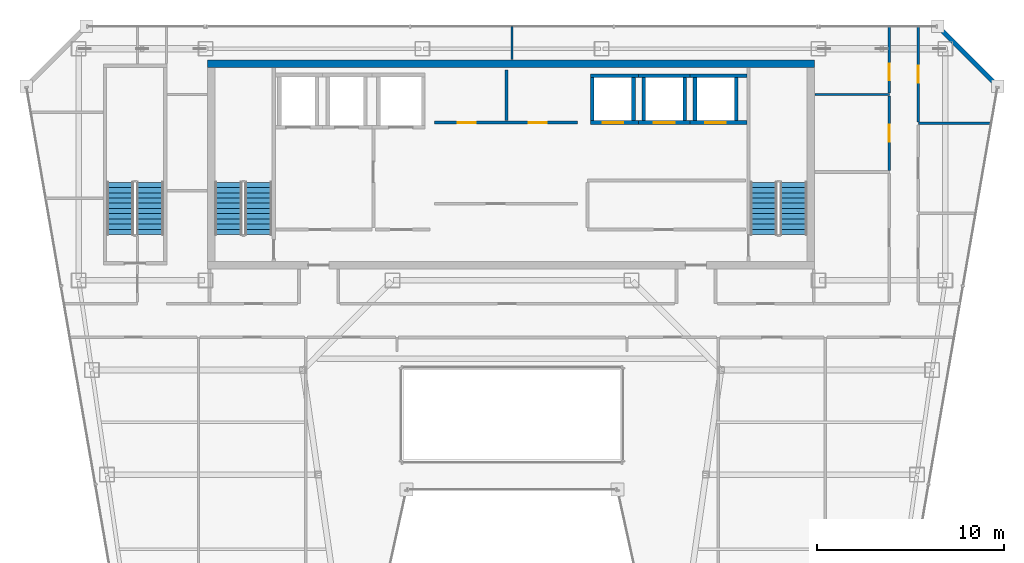
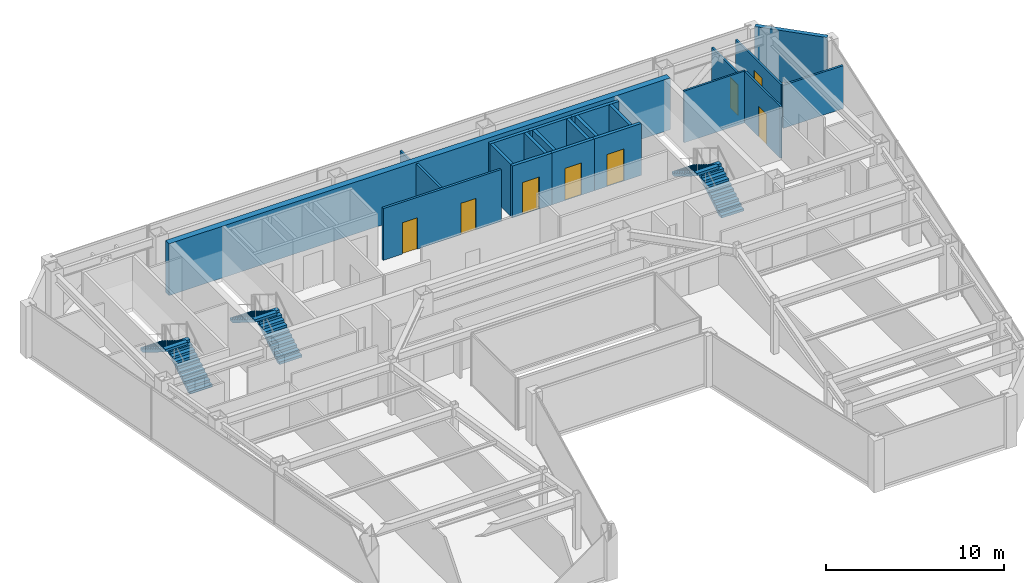
# One storey, part 28 of 32: 22 walls, 8 doors, 6 stair flights, 8 openings, 3 elements without a shape of their own.
"""IFC4 building model written with IfcOpenShell, lengths in metres."""

from ifc_helpers import new_model, si_unit, direction, frame, frame_2d, origin, place, context, subcontext, project, spatial, polyline, rectangle, outline, extrude, material, layer, layer_set, type_object, element, fill, aggregate, save


model = new_model("IFC4")

# Units and contexts
model_context = context("Model", 3, precision=1e-05, world=origin(), true_north=direction((0.0, 1.0)))
body_context = subcontext(model_context, "Body", "Model", "MODEL_VIEW")
ifc_project = project(units=[si_unit("LENGTHUNIT", "METRE"), si_unit("AREAUNIT", "SQUARE_METRE"), si_unit("VOLUMEUNIT", "CUBIC_METRE"), si_unit("PLANEANGLEUNIT", "RADIAN"), si_unit("MASSUNIT", "GRAM", prefix="KILO")], contexts=[model_context])

# Site, building, storey
site_placement = place(None, origin())
site = spatial("IfcSite", under=ifc_project, at=site_placement, CompositionType="ELEMENT")
building_placement = place(site_placement, origin())
building = spatial("IfcBuilding", under=site, at=building_placement, Name="Saevonmaru Cultural Tower", CompositionType="ELEMENT")
storey_placement = place(building_placement, frame((0.0, 0.0, 245.800048828125)))
storey = spatial("IfcBuildingStorey", under=building, at=storey_placement, Name="L57", CompositionType="ELEMENT", Elevation=245.800048828125)

# Wall
ifc_material_1 = material(Name="Concrete C50/60", Category="concrete")
ifc_layer_1 = layer(ifc_material_1, 0.39990234375, Name="Concrete C50/60")
ifc_layer_set_1 = layer_set([ifc_layer_1], Name="Concrete C50/60")
wall_type_1 = type_object("IfcWallType", Name="WL-CORE-400", PredefinedType="SHEAR", material=ifc_layer_set_1)
wall_1_placement = place(storey_placement, frame((13.699951171875, 54.0, 0.0), z_axis=(0.0, 0.0, 1.0), x_axis=(1.0, 0.0, 0.0)))
element("IfcWall", 1, at=wall_1_placement, inside=storey, type_object=wall_type_1, Name="L57 Tower RC core shear wall N", PredefinedType="SHEAR", context=body_context, shape_type="SweptSolid", body=[
    extrude(rectangle(XDim=32.5, YDim=0.39990234375, at=frame_2d((16.25, 0.0))), origin(), (0.0, 0.0, 1.0), 3.550048828125),
])

# Wall, openings, doors
ifc_material_2 = material(Name="Gypsum Fireboard Partition", Category="gypsum")
ifc_layer_2 = layer(ifc_material_2, 0.14990234375, Name="Gypsum Fireboard Partition")
ifc_layer_set_2 = layer_set([ifc_layer_2], Name="Gypsum Fireboard Partition")
wall_type_2 = type_object("IfcWallType", Name="WL-CORE-PART-150", PredefinedType="PARTITIONING", material=ifc_layer_set_2)
wall_2_placement = place(storey_placement, frame((25.85009765625, 50.85009765625, 0.0), z_axis=(0.0, 0.0, 1.0), x_axis=(1.0, 0.0, 0.0)))
wall_2 = element("IfcWall", 2, at=wall_2_placement, inside=storey, type_object=wall_type_2, Name="L57 Reclaimed Core Room South Wall", PredefinedType="PARTITIONING", context=body_context, shape_type="SweptSolid", body=[
    extrude(rectangle(XDim=7.64990234375, YDim=0.14990234375, at=frame_2d((3.824951171875, 0.0))), origin(), (0.0, 0.0, 1.0), 3.550048828125),
])
opening_1_placement = place(wall_2_placement, frame((1.25, 0.0, 0.0)))
opening_1 = element("IfcOpeningElement", 3, at=opening_1_placement, cuts=wall_2, Name="Opening FD-4", PredefinedType="OPENING", context=body_context, shape_type="SweptSolid", body=[
    extrude(rectangle(XDim=0.949951171875, YDim=2.14990234375, at=frame_2d((0.47509765625, 1.074951171875))), frame((0.0, 0.0849609375, 0.0), z_axis=(0.0, -1.0, 0.0), x_axis=(1.0, 0.0, 0.0)), (0.0, 0.0, 1.0), 0.169921875),
])
opening_2_placement = place(wall_2_placement, frame((5.050048828125, 0.0, 0.0)))
opening_2 = element("IfcOpeningElement", 4, at=opening_2_placement, cuts=wall_2, Name="Opening FD-4", PredefinedType="OPENING", context=body_context, shape_type="SweptSolid", body=[
    extrude(rectangle(XDim=0.949951171875, YDim=2.14990234375, at=frame_2d((0.47509765625, 1.074951171875))), frame((0.0, 0.0849609375, 0.0), z_axis=(0.0, -1.0, 0.0), x_axis=(1.0, 0.0, 0.0)), (0.0, 0.0, 1.0), 0.169921875),
])
ifc_material_3 = material(Name="Satin Bronze Anodised Aluminium", Category="aluminium")
door_type_1 = type_object("IfcDoorType", Name="DR-FD60-950", OperationType="SINGLE_SWING_LEFT", PredefinedType="DOOR", material=ifc_material_3)
door_1_placement = place(opening_1_placement, origin())
door_1 = element("IfcDoor", 5, at=door_1_placement, inside=storey, type_object=door_type_1, Name="L57 Reclaimed Archive Vault Door", OperationType="SINGLE_SWING_LEFT", OverallHeight=2.14990234375, OverallWidth=0.949951171875, PredefinedType="DOOR", context=body_context, shape_type="SweptSolid", body=[
    extrude(rectangle(XDim=0.949951171875, YDim=2.14990234375, at=frame_2d((0.47509765625, 1.074951171875))), frame((0.0, 0.02490234375, 0.0), z_axis=(0.0, -1.0, 0.0), x_axis=(1.0, 0.0, 0.0)), (0.0, 0.0, 1.0), 0.050048828125),
])
fill(opening_1, door_1)
door_2_placement = place(opening_2_placement, origin())
door_2 = element("IfcDoor", 6, at=door_2_placement, inside=storey, type_object=door_type_1, Name="L57 Reclaimed Conservation Storage Door", OperationType="SINGLE_SWING_LEFT", OverallHeight=2.14990234375, OverallWidth=0.949951171875, PredefinedType="DOOR", context=body_context, shape_type="SweptSolid", body=[
    extrude(rectangle(XDim=0.949951171875, YDim=2.14990234375, at=frame_2d((0.47509765625, 1.074951171875))), frame((0.0, 0.02490234375, 0.0), z_axis=(0.0, -1.0, 0.0), x_axis=(1.0, 0.0, 0.0)), (0.0, 0.0, 1.0), 0.050048828125),
])
fill(opening_2, door_2)

# Walls
wall_3_placement = place(storey_placement, frame((29.699951171875, 50.949951171875, 0.0), z_axis=(0.0, 0.0, 1.0), x_axis=(0.0, 1.0, 0.0)))
element("IfcWall", 7, at=wall_3_placement, inside=storey, type_object=wall_type_2, Name="L57 Reclaimed Vault Split", PredefinedType="PARTITIONING", context=body_context, shape_type="SweptSolid", body=[
    extrude(rectangle(XDim=2.699951171875, YDim=0.14990234375, at=frame_2d((1.35009765625, 0.0))), origin(), (0.0, 0.0, 1.0), 3.550048828125),
])
ifc_material_4 = material(Name="Granite-Clad Precast Concrete C40/50", Category="masonry")
ifc_layer_3 = layer(ifc_material_4, 0.260009765625, Name="Granite-Clad Precast Concrete C40/50")
ifc_layer_set_3 = layer_set([ifc_layer_3], Name="Granite-Clad Precast Concrete C40/50")
wall_type_3 = type_object("IfcWallType", Name="WL-EXT-SPANDREL-260", PredefinedType="STANDARD", material=ifc_layer_set_3)
wall_4_placement = place(storey_placement, frame((55.886962890625, 52.9130859375, 0.0), z_axis=(0.0, 0.0, 1.0), x_axis=(-0.707106781187, 0.707106781187, 0.0)))
element("IfcWall", 8, at=wall_4_placement, inside=storey, type_object=wall_type_3, Name="L57 Chamfer Corner Spandrel Wall E9", PredefinedType="STANDARD", context=body_context, shape_type="SweptSolid", body=[
    extrude(rectangle(XDim=4.205810546875, YDim=0.260009765625, at=frame_2d((2.10302734375, 0.0))), origin(), (0.0, 0.0, 1.0), 3.550048828125),
])
ifc_layer_4 = layer(ifc_material_2, 0.1201171875, Name="Gypsum Fireboard Partition")
ifc_layer_set_4 = layer_set([ifc_layer_4], Name="Gypsum Fireboard Partition")
wall_type_4 = type_object("IfcWallType", Name="WL-PART-GYP-120", PredefinedType="PARTITIONING", material=ifc_layer_set_4)
wall_5_placement = place(storey_placement, frame((46.219970703125, 52.35009765625, 0.0), z_axis=(0.0, 0.0, 1.0), x_axis=(1.0, 0.0, 0.0)))
element("IfcWall", 9, at=wall_5_placement, inside=storey, type_object=wall_type_4, Name="L57 North-East Panorama South Wall", PredefinedType="PARTITIONING", context=body_context, shape_type="SweptSolid", body=[
    extrude(rectangle(XDim=3.97998046875, YDim=0.1201171875, at=frame_2d((1.989990234375, 0.0))), origin(), (0.0, 0.0, 1.0), 3.550048828125),
])
wall_6_placement = place(storey_placement, frame((30.0, 54.219970703125, 0.0), z_axis=(0.0, 0.0, 1.0), x_axis=(0.0, 1.0, 0.0)))
element("IfcWall", 10, at=wall_6_placement, inside=storey, type_object=wall_type_4, Name="L57 North Panorama Center Split", PredefinedType="PARTITIONING", context=body_context, shape_type="SweptSolid", body=[
    extrude(rectangle(XDim=1.775146484375, YDim=0.1201171875, at=frame_2d((0.8876953125, 0.0))), origin(), (0.0, 0.0, 1.0), 2.93505859375),
])

# Wall, opening, door
wall_7_placement = place(storey_placement, frame((50.199951171875, 48.2900390625, 0.0), z_axis=(0.0, 0.0, 1.0), x_axis=(0.0, 1.0, 0.0)))
wall_7 = element("IfcWall", 11, at=wall_7_placement, inside=storey, type_object=wall_type_4, Name="L57 Urban Design Meeting Room Corridor Wall", PredefinedType="PARTITIONING", context=body_context, shape_type="SweptSolid", body=[
    extrude(rectangle(XDim=3.97998046875, YDim=0.1201171875, at=frame_2d((1.989990234375, 0.0))), origin(), (0.0, 0.0, 1.0), 3.550048828125),
])
opening_3_placement = place(wall_7_placement, frame((1.5400390625, 0.0, 0.0)))
opening_3 = element("IfcOpeningElement", 12, at=opening_3_placement, cuts=wall_7, Name="Opening ID-2", PredefinedType="OPENING", context=body_context, shape_type="SweptSolid", body=[
    extrude(rectangle(XDim=0.89990234375, YDim=2.10009765625, at=frame_2d((0.449951171875, 1.050048828125))), frame((0.0, 0.070068359375, 0.0), z_axis=(0.0, -1.0, 0.0), x_axis=(1.0, 0.0, 0.0)), (0.0, 0.0, 1.0), 0.14013671875),
])
ifc_material_5 = material(Name="Acoustic Stained Oak Timber", Category="wood")
door_type_2 = type_object("IfcDoorType", Name="DR-INT-900", OperationType="SINGLE_SWING_RIGHT", PredefinedType="DOOR", material=ifc_material_5)
door_3_placement = place(opening_3_placement, origin())
door_3 = element("IfcDoor", 13, at=door_3_placement, inside=storey, type_object=door_type_2, Name="L57 Urban Design Meeting Room Door", OperationType="SINGLE_SWING_LEFT", OverallHeight=2.10009765625, OverallWidth=0.89990234375, PredefinedType="DOOR", context=body_context, shape_type="SweptSolid", body=[
    extrude(rectangle(XDim=0.89990234375, YDim=2.10009765625, at=frame_2d((0.449951171875, 1.050048828125))), frame((0.0, 0.02490234375, 0.0), z_axis=(0.0, -1.0, 0.0), x_axis=(1.0, 0.0, 0.0)), (0.0, 0.0, 1.0), 0.050048828125),
])
fill(opening_3, door_3)

wall_8_placement = place(storey_placement, frame((50.199951171875, 52.429931640625, 0.0), z_axis=(0.0, 0.0, 1.0), x_axis=(0.0, 1.0, 0.0)))
wall_8 = element("IfcWall", 14, at=wall_8_placement, inside=storey, type_object=wall_type_4, Name="L57 Curatorial Board Meeting Room Corridor Wall", PredefinedType="PARTITIONING", context=body_context, shape_type="SweptSolid", body=[
    extrude(rectangle(XDim=3.565185546875, YDim=0.1201171875, at=frame_2d((1.78271484375, 0.0))), origin(), (0.0, 0.0, 1.0), 2.93505859375),
])
opening_4_placement = place(wall_8_placement, frame((0.672119140625, 0.0, 0.0)))
opening_4 = element("IfcOpeningElement", 15, at=opening_4_placement, cuts=wall_8, Name="Opening ID-2", PredefinedType="OPENING", context=body_context, shape_type="SweptSolid", body=[
    extrude(rectangle(XDim=0.89990234375, YDim=2.10009765625, at=frame_2d((0.449951171875, 1.050048828125))), frame((0.0, 0.070068359375, 0.0), z_axis=(0.0, -1.0, 0.0), x_axis=(1.0, 0.0, 0.0)), (0.0, 0.0, 1.0), 0.14013671875),
])
door_4_placement = place(opening_4_placement, origin())
door_4 = element("IfcDoor", 16, at=door_4_placement, inside=storey, type_object=door_type_2, Name="L57 Curatorial Board Meeting Room Door", OperationType="SINGLE_SWING_RIGHT", OverallHeight=2.10009765625, OverallWidth=0.89990234375, PredefinedType="DOOR", context=body_context, shape_type="SweptSolid", body=[
    extrude(rectangle(XDim=0.89990234375, YDim=2.10009765625, at=frame_2d((0.449951171875, 1.050048828125))), frame((0.0, 0.02490234375, 0.0), z_axis=(0.0, -1.0, 0.0), x_axis=(1.0, 0.0, 0.0)), (0.0, 0.0, 1.0), 0.050048828125),
])
fill(opening_4, door_4)

wall_9_placement = place(storey_placement, frame((51.75, 50.887451171875, 0.0), z_axis=(0.0, 0.0, 1.0), x_axis=(0.0, 1.0, 0.0)))
wall_9 = element("IfcWall", 17, at=wall_9_placement, inside=storey, type_object=wall_type_4, Name="L57 Translation Research Office Corridor Wall", PredefinedType="PARTITIONING", context=body_context, shape_type="SweptSolid", body=[
    extrude(rectangle(XDim=5.107666015625, YDim=0.1201171875, at=frame_2d((2.5537109375, 0.0))), origin(), (0.0, 0.0, 1.0), 2.93505859375),
])
opening_5_placement = place(wall_9_placement, frame((2.10400390625, 0.0, 0.0)))
opening_5 = element("IfcOpeningElement", 18, at=opening_5_placement, cuts=wall_9, Name="Opening ID-2", PredefinedType="OPENING", context=body_context, shape_type="SweptSolid", body=[
    extrude(rectangle(XDim=0.89990234375, YDim=2.10009765625, at=frame_2d((0.449951171875, 1.050048828125))), frame((0.0, 0.070068359375, 0.0), z_axis=(0.0, -1.0, 0.0), x_axis=(1.0, 0.0, 0.0)), (0.0, 0.0, 1.0), 0.14013671875),
])
door_5_placement = place(opening_5_placement, origin())
door_5 = element("IfcDoor", 19, at=door_5_placement, inside=storey, type_object=door_type_2, Name="L57 Translation Research Office Door", OperationType="SINGLE_SWING_RIGHT", OverallHeight=2.10009765625, OverallWidth=0.89990234375, PredefinedType="DOOR", context=body_context, shape_type="SweptSolid", body=[
    extrude(rectangle(XDim=0.89990234375, YDim=2.10009765625, at=frame_2d((0.449951171875, 1.050048828125))), frame((0.0, 0.02490234375, 0.0), z_axis=(0.0, -1.0, 0.0), x_axis=(1.0, 0.0, 0.0)), (0.0, 0.0, 1.0), 0.050048828125),
])
fill(opening_5, door_5)

# Wall
ifc_layer_5 = layer(ifc_material_2, 0.135009765625, Name="Gypsum Fireboard Partition")
ifc_layer_set_5 = layer_set([ifc_layer_5], Name="Gypsum Fireboard Partition")
wall_type_5 = type_object("IfcWallType", Name="WL-PART-GYP-135", PredefinedType="PARTITIONING", material=ifc_layer_set_5)
wall_10_placement = place(storey_placement, frame((51.75, 50.800048828125, 0.0), z_axis=(0.0, 0.0, 1.0), x_axis=(1.0, 0.0, 0.0)))
element("IfcWall", 20, at=wall_10_placement, inside=storey, type_object=wall_type_5, Name="L57 NE Studio Divider 2", PredefinedType="PARTITIONING", context=body_context, shape_type="SweptSolid", body=[
    extrude(rectangle(XDim=3.898193359375, YDim=0.135009765625, at=frame_2d((1.94921875, 0.0))), origin(), (0.0, 0.0, 1.0), 2.947021484375),
])

# Wall, opening, door
ifc_material_6 = material(Name="Concrete C40/50", Category="concrete")
ifc_layer_6 = layer(ifc_material_6, 0.199951171875, Name="Concrete C40/50")
ifc_layer_set_6 = layer_set([ifc_layer_6], Name="Concrete C40/50")
wall_type_6 = type_object("IfcWallType", Name="WL-SHAFT-200", PredefinedType="SHEAR", material=ifc_layer_set_6)
wall_11_placement = place(storey_placement, frame((34.199951171875, 50.85009765625, 0.0), z_axis=(0.0, 0.0, 1.0), x_axis=(1.0, 0.0, 0.0)))
wall_11 = element("IfcWall", 21, at=wall_11_placement, inside=storey, type_object=wall_type_6, Name="L57 Lift PL-H1 Hoistway Wall S", PredefinedType="SHEAR", context=body_context, shape_type="SweptSolid", body=[
    extrude(rectangle(XDim=2.574951171875, YDim=0.199951171875, at=frame_2d((1.28759765625, 0.0))), origin(), (0.0, 0.0, 1.0), 3.550048828125),
])
opening_6_placement = place(wall_11_placement, frame((0.64990234375, 0.0, 0.0)))
opening_6 = element("IfcOpeningElement", 22, at=opening_6_placement, cuts=wall_11, Name="Opening LD-1", PredefinedType="OPENING", context=body_context, shape_type="SweptSolid", body=[
    extrude(rectangle(XDim=1.10009765625, YDim=2.199951171875, at=frame_2d((0.550048828125, 1.10009765625))), frame((0.0, 0.10986328125, 0.0), z_axis=(0.0, -1.0, 0.0), x_axis=(1.0, 0.0, 0.0)), (0.0, 0.0, 1.0), 0.219970703125),
])
ifc_material_7 = material(Name="Satin Bronze Stainless Steel", Category="steel")
door_type_3 = type_object("IfcDoorType", Name="DR-LIFT-1100", OperationType="SLIDING_TO_LEFT", PredefinedType="DOOR", material=ifc_material_7)
door_6_placement = place(opening_6_placement, origin())
door_6 = element("IfcDoor", 23, at=door_6_placement, inside=storey, type_object=door_type_3, Name="L57 Lift PL-H1 Sliding Landing Door", OperationType="SLIDING_TO_LEFT", OverallHeight=2.199951171875, OverallWidth=1.10009765625, PredefinedType="DOOR", context=body_context, shape_type="SweptSolid", body=[
    extrude(rectangle(XDim=1.10009765625, YDim=2.199951171875, at=frame_2d((0.550048828125, 1.10009765625))), frame((0.0, 0.02490234375, 0.0), z_axis=(0.0, -1.0, 0.0), x_axis=(1.0, 0.0, 0.0)), (0.0, 0.0, 1.0), 0.050048828125),
])
fill(opening_6, door_6)

# Walls
wall_12_placement = place(storey_placement, frame((34.199951171875, 53.35009765625, 0.0), z_axis=(0.0, 0.0, 1.0), x_axis=(1.0, 0.0, 0.0)))
element("IfcWall", 24, at=wall_12_placement, inside=storey, type_object=wall_type_6, Name="L57 Lift PL-H1 Hoistway Wall N", PredefinedType="SHEAR", context=body_context, shape_type="SweptSolid", body=[
    extrude(rectangle(XDim=2.574951171875, YDim=0.199951171875, at=frame_2d((1.28759765625, 0.0))), origin(), (0.0, 0.0, 1.0), 3.550048828125),
])
for number, where, z_axis, x_axis, name in (
    (25, (34.300048828125, 50.949951171875, 0.0), (0.0, 0.0, 1.0), (0.0, 1.0, 0.0), "L57 Lift PL-H1 Hoistway Wall W"),
    (26, (36.5, 50.949951171875, 0.0), (0.0, 0.0, 1.0), (0.0, 1.0, 0.0), "L57 Lift PL-H1 Hoistway Wall E"),
):
    element("IfcWall", number, at=place(storey_placement, frame(where, z_axis=z_axis, x_axis=x_axis)), inside=storey, type_object=wall_type_6, Name=name, PredefinedType="SHEAR", context=body_context, shape_type="SweptSolid", body=[
        extrude(rectangle(XDim=2.300048828125, YDim=0.199951171875, at=frame_2d((1.14990234375, 0.0))), origin(), (0.0, 0.0, 1.0), 3.550048828125),
    ])

# Wall, opening, door
wall_13_placement = place(storey_placement, frame((36.77490234375, 50.85009765625, 0.0), z_axis=(0.0, 0.0, 1.0), x_axis=(1.0, 0.0, 0.0)))
wall_13 = element("IfcWall", 27, at=wall_13_placement, inside=storey, type_object=wall_type_6, Name="L57 Lift PL-H2 Hoistway Wall S", PredefinedType="SHEAR", context=body_context, shape_type="SweptSolid", body=[
    extrude(rectangle(XDim=2.75, YDim=0.199951171875, at=frame_2d((1.375, 0.0))), origin(), (0.0, 0.0, 1.0), 3.550048828125),
])
opening_7_placement = place(wall_13_placement, frame((0.824951171875, 0.0, 0.0)))
opening_7 = element("IfcOpeningElement", 28, at=opening_7_placement, cuts=wall_13, Name="Opening LD-1", PredefinedType="OPENING", context=body_context, shape_type="SweptSolid", body=[
    extrude(rectangle(XDim=1.10009765625, YDim=2.199951171875, at=frame_2d((0.550048828125, 1.10009765625))), frame((0.0, 0.10986328125, 0.0), z_axis=(0.0, -1.0, 0.0), x_axis=(1.0, 0.0, 0.0)), (0.0, 0.0, 1.0), 0.219970703125),
])
door_7_placement = place(opening_7_placement, origin())
door_7 = element("IfcDoor", 29, at=door_7_placement, inside=storey, type_object=door_type_3, Name="L57 Lift PL-H2 Sliding Landing Door", OperationType="SLIDING_TO_LEFT", OverallHeight=2.199951171875, OverallWidth=1.10009765625, PredefinedType="DOOR", context=body_context, shape_type="SweptSolid", body=[
    extrude(rectangle(XDim=1.10009765625, YDim=2.199951171875, at=frame_2d((0.550048828125, 1.10009765625))), frame((0.0, 0.02490234375, 0.0), z_axis=(0.0, -1.0, 0.0), x_axis=(1.0, 0.0, 0.0)), (0.0, 0.0, 1.0), 0.050048828125),
])
fill(opening_7, door_7)

# Walls
wall_14_placement = place(storey_placement, frame((36.77490234375, 53.35009765625, 0.0), z_axis=(0.0, 0.0, 1.0), x_axis=(1.0, 0.0, 0.0)))
element("IfcWall", 30, at=wall_14_placement, inside=storey, type_object=wall_type_6, Name="L57 Lift PL-H2 Hoistway Wall N", PredefinedType="SHEAR", context=body_context, shape_type="SweptSolid", body=[
    extrude(rectangle(XDim=2.75, YDim=0.199951171875, at=frame_2d((1.375, 0.0))), origin(), (0.0, 0.0, 1.0), 3.550048828125),
])
for number, where, z_axis, x_axis, name in (
    (31, (37.050048828125, 50.949951171875, 0.0), (0.0, 0.0, 1.0), (0.0, 1.0, 0.0), "L57 Lift PL-H2 Hoistway Wall W"),
    (32, (39.25, 50.949951171875, 0.0), (0.0, 0.0, 1.0), (0.0, 1.0, 0.0), "L57 Lift PL-H2 Hoistway Wall E"),
):
    element("IfcWall", number, at=place(storey_placement, frame(where, z_axis=z_axis, x_axis=x_axis)), inside=storey, type_object=wall_type_6, Name=name, PredefinedType="SHEAR", context=body_context, shape_type="SweptSolid", body=[
        extrude(rectangle(XDim=2.300048828125, YDim=0.199951171875, at=frame_2d((1.14990234375, 0.0))), origin(), (0.0, 0.0, 1.0), 3.550048828125),
    ])

# Wall, opening, door
wall_15_placement = place(storey_placement, frame((39.52490234375, 50.85009765625, 0.0), z_axis=(0.0, 0.0, 1.0), x_axis=(1.0, 0.0, 0.0)))
wall_15 = element("IfcWall", 33, at=wall_15_placement, inside=storey, type_object=wall_type_6, Name="L57 Lift PL-H3 Hoistway Wall S", PredefinedType="SHEAR", context=body_context, shape_type="SweptSolid", body=[
    extrude(rectangle(XDim=3.045166015625, YDim=0.199951171875, at=frame_2d((1.5224609375, 0.0))), origin(), (0.0, 0.0, 1.0), 3.550048828125),
])
opening_8_placement = place(wall_15_placement, frame((0.824951171875, 0.0, 0.0)))
opening_8 = element("IfcOpeningElement", 34, at=opening_8_placement, cuts=wall_15, Name="Opening LD-1", PredefinedType="OPENING", context=body_context, shape_type="SweptSolid", body=[
    extrude(rectangle(XDim=1.10009765625, YDim=2.199951171875, at=frame_2d((0.550048828125, 1.10009765625))), frame((0.0, 0.10986328125, 0.0), z_axis=(0.0, -1.0, 0.0), x_axis=(1.0, 0.0, 0.0)), (0.0, 0.0, 1.0), 0.219970703125),
])
door_8_placement = place(opening_8_placement, origin())
door_8 = element("IfcDoor", 35, at=door_8_placement, inside=storey, type_object=door_type_3, Name="L57 Lift PL-H3 Sliding Landing Door", OperationType="SLIDING_TO_LEFT", OverallHeight=2.199951171875, OverallWidth=1.10009765625, PredefinedType="DOOR", context=body_context, shape_type="SweptSolid", body=[
    extrude(rectangle(XDim=1.10009765625, YDim=2.199951171875, at=frame_2d((0.550048828125, 1.10009765625))), frame((0.0, 0.02490234375, 0.0), z_axis=(0.0, -1.0, 0.0), x_axis=(1.0, 0.0, 0.0)), (0.0, 0.0, 1.0), 0.050048828125),
])
fill(opening_8, door_8)

# Walls
wall_16_placement = place(storey_placement, frame((39.52490234375, 53.35009765625, 0.0), z_axis=(0.0, 0.0, 1.0), x_axis=(1.0, 0.0, 0.0)))
element("IfcWall", 36, at=wall_16_placement, inside=storey, type_object=wall_type_6, Name="L57 Lift PL-H3 Hoistway Wall N", PredefinedType="SHEAR", context=body_context, shape_type="SweptSolid", body=[
    extrude(rectangle(XDim=3.045166015625, YDim=0.199951171875, at=frame_2d((1.5224609375, 0.0))), origin(), (0.0, 0.0, 1.0), 3.550048828125),
])
for number, where, z_axis, x_axis, name in (
    (37, (39.800048828125, 50.949951171875, 0.0), (0.0, 0.0, 1.0), (0.0, 1.0, 0.0), "L57 Lift PL-H3 Hoistway Wall W"),
    (38, (42.0, 50.949951171875, 0.0), (0.0, 0.0, 1.0), (0.0, 1.0, 0.0), "L57 Lift PL-H3 Hoistway Wall E"),
):
    element("IfcWall", number, at=place(storey_placement, frame(where, z_axis=z_axis, x_axis=x_axis)), inside=storey, type_object=wall_type_6, Name=name, PredefinedType="SHEAR", context=body_context, shape_type="SweptSolid", body=[
        extrude(rectangle(XDim=2.300048828125, YDim=0.199951171875, at=frame_2d((1.14990234375, 0.0))), origin(), (0.0, 0.0, 1.0), 3.550048828125),
    ])

# Stair, stair flights
stair_type = type_object("IfcStairType", Name="STR-DOGLEG-RC", PredefinedType="HALF_TURN_STAIR", material=ifc_material_6)
stair_1_placement = place(storey_placement, origin())
stair_1 = element("IfcStair", 39, at=stair_1_placement, inside=storey, type_object=stair_type, Name="L57 Protected exit stair ST-1", PredefinedType="HALF_TURN_STAIR")
ifc_material_8 = material(Name="Precast concrete C40/50", Category="concrete")
stair_flight_type = type_object("IfcStairFlightType", Name="STF-PRECAST-180", PredefinedType="STRAIGHT", material=ifc_material_8)
stair_flight_1_placement = place(storey_placement, frame((16.425048828125, 44.85009765625, 0.0), z_axis=(0.0, 0.0, 1.0), x_axis=(0.0, 1.0, 0.0)))
stair_flight_1 = element("IfcStairFlight", 40, at=stair_flight_1_placement, type_object=stair_flight_type, Name="ST-1-L57 flight 1", NumberOfRisers=11, NumberOfTreads=10, PredefinedType="STRAIGHT", RiserHeight=0.172727273, TreadLength=0.28, context=body_context, shape_type="SweptSolid", body=[
    extrude(outline(polyline([(0.0, 0.0), (0.0, 0.172607421875), (0.280029296875, 0.172607421875), (0.280029296875, 0.345458984375), (0.56005859375, 0.345458984375), (0.56005859375, 0.51806640625), (0.840087890625, 0.51806640625), (0.840087890625, 0.69091796875), (1.1201171875, 0.69091796875), (1.1201171875, 0.863525390625), (1.39990234375, 0.863525390625), (1.39990234375, 1.036376953125), (1.679931640625, 1.036376953125), (1.679931640625, 1.208984375), (1.9599609375, 1.208984375), (1.9599609375, 1.3818359375), (2.239990234375, 1.3818359375), (2.239990234375, 1.554443359375), (2.52001953125, 1.554443359375), (2.52001953125, 1.727294921875), (2.800048828125, 1.727294921875), (2.800048828125, 1.89990234375), (2.800048828125, 1.551025390625), (0.285400390625, 0.0), (0.0, 0.0)])), frame((0.0, 0.72509765625, 0.0), z_axis=(0.0, -1.0, 0.0), x_axis=(1.0, 0.0, 0.0)), (0.0, 0.0, 1.0), 1.449951171875),
])
stair_flight_2_placement = place(storey_placement, frame((14.824951171875, 47.64990234375, 1.89990234375), z_axis=(0.0, 0.0, 1.0), x_axis=(0.0, -1.0, 0.0)))
stair_flight_2 = element("IfcStairFlight", 41, at=stair_flight_2_placement, type_object=stair_flight_type, Name="ST-1-L57 flight 2", NumberOfRisers=11, NumberOfTreads=10, PredefinedType="STRAIGHT", RiserHeight=0.172727273, TreadLength=0.28, context=body_context, shape_type="SweptSolid", body=[
    extrude(outline(polyline([(0.0, 0.0), (0.0, 0.172607421875), (0.280029296875, 0.172607421875), (0.280029296875, 0.345458984375), (0.56005859375, 0.345458984375), (0.56005859375, 0.51806640625), (0.840087890625, 0.51806640625), (0.840087890625, 0.69091796875), (1.1201171875, 0.69091796875), (1.1201171875, 0.863525390625), (1.39990234375, 0.863525390625), (1.39990234375, 1.036376953125), (1.679931640625, 1.036376953125), (1.679931640625, 1.208984375), (1.9599609375, 1.208984375), (1.9599609375, 1.3818359375), (2.239990234375, 1.3818359375), (2.239990234375, 1.554443359375), (2.52001953125, 1.554443359375), (2.52001953125, 1.727294921875), (2.800048828125, 1.727294921875), (2.800048828125, 1.89990234375), (2.800048828125, 1.551025390625), (0.285400390625, 0.0), (0.0, 0.0)])), frame((0.0, 0.72509765625, 0.0), z_axis=(0.0, -1.0, 0.0), x_axis=(1.0, 0.0, 0.0)), (0.0, 0.0, 1.0), 1.449951171875),
])
aggregate(stair_1, [stair_flight_1, stair_flight_2])

stair_2_placement = place(storey_placement, origin())
stair_2 = element("IfcStair", 42, at=stair_2_placement, inside=storey, type_object=stair_type, Name="L57 Protected exit stair ST-2", PredefinedType="HALF_TURN_STAIR")
stair_flight_3_placement = place(storey_placement, frame((45.074951171875, 44.85009765625, 0.0), z_axis=(0.0, 0.0, 1.0), x_axis=(0.0, 1.0, 0.0)))
stair_flight_3 = element("IfcStairFlight", 43, at=stair_flight_3_placement, type_object=stair_flight_type, Name="ST-2-L57 flight 1", NumberOfRisers=11, NumberOfTreads=10, PredefinedType="STRAIGHT", RiserHeight=0.172727273, TreadLength=0.28, context=body_context, shape_type="SweptSolid", body=[
    extrude(outline(polyline([(0.0, 0.0), (0.0, 0.172607421875), (0.280029296875, 0.172607421875), (0.280029296875, 0.345458984375), (0.56005859375, 0.345458984375), (0.56005859375, 0.51806640625), (0.840087890625, 0.51806640625), (0.840087890625, 0.69091796875), (1.1201171875, 0.69091796875), (1.1201171875, 0.863525390625), (1.39990234375, 0.863525390625), (1.39990234375, 1.036376953125), (1.679931640625, 1.036376953125), (1.679931640625, 1.208984375), (1.9599609375, 1.208984375), (1.9599609375, 1.3818359375), (2.239990234375, 1.3818359375), (2.239990234375, 1.554443359375), (2.52001953125, 1.554443359375), (2.52001953125, 1.727294921875), (2.800048828125, 1.727294921875), (2.800048828125, 1.89990234375), (2.800048828125, 1.551025390625), (0.285400390625, 0.0), (0.0, 0.0)])), frame((0.0, 0.72509765625, 0.0), z_axis=(0.0, -1.0, 0.0), x_axis=(1.0, 0.0, 0.0)), (0.0, 0.0, 1.0), 1.449951171875),
])
stair_flight_4_placement = place(storey_placement, frame((43.47509765625, 47.64990234375, 1.89990234375), z_axis=(0.0, 0.0, 1.0), x_axis=(0.0, -1.0, 0.0)))
stair_flight_4 = element("IfcStairFlight", 44, at=stair_flight_4_placement, type_object=stair_flight_type, Name="ST-2-L57 flight 2", NumberOfRisers=11, NumberOfTreads=10, PredefinedType="STRAIGHT", RiserHeight=0.172727273, TreadLength=0.28, context=body_context, shape_type="SweptSolid", body=[
    extrude(outline(polyline([(0.0, 0.0), (0.0, 0.172607421875), (0.280029296875, 0.172607421875), (0.280029296875, 0.345458984375), (0.56005859375, 0.345458984375), (0.56005859375, 0.51806640625), (0.840087890625, 0.51806640625), (0.840087890625, 0.69091796875), (1.1201171875, 0.69091796875), (1.1201171875, 0.863525390625), (1.39990234375, 0.863525390625), (1.39990234375, 1.036376953125), (1.679931640625, 1.036376953125), (1.679931640625, 1.208984375), (1.9599609375, 1.208984375), (1.9599609375, 1.3818359375), (2.239990234375, 1.3818359375), (2.239990234375, 1.554443359375), (2.52001953125, 1.554443359375), (2.52001953125, 1.727294921875), (2.800048828125, 1.727294921875), (2.800048828125, 1.89990234375), (2.800048828125, 1.551025390625), (0.285400390625, 0.0), (0.0, 0.0)])), frame((0.0, 0.72509765625, 0.0), z_axis=(0.0, -1.0, 0.0), x_axis=(1.0, 0.0, 0.0)), (0.0, 0.0, 1.0), 1.449951171875),
])
aggregate(stair_2, [stair_flight_3, stair_flight_4])

stair_3_placement = place(storey_placement, origin())
stair_3 = element("IfcStair", 45, at=stair_3_placement, inside=storey, type_object=stair_type, Name="L57 Protected exit stair ST-3", PredefinedType="HALF_TURN_STAIR")
stair_flight_5_placement = place(storey_placement, frame((10.625, 44.85009765625, 0.0), z_axis=(0.0, 0.0, 1.0), x_axis=(0.0, 1.0, 0.0)))
stair_flight_5 = element("IfcStairFlight", 46, at=stair_flight_5_placement, type_object=stair_flight_type, Name="ST-3-L57 flight 1", NumberOfRisers=11, NumberOfTreads=10, PredefinedType="STRAIGHT", RiserHeight=0.172727273, TreadLength=0.28, context=body_context, shape_type="SweptSolid", body=[
    extrude(outline(polyline([(0.0, 0.0), (0.0, 0.172607421875), (0.280029296875, 0.172607421875), (0.280029296875, 0.345458984375), (0.56005859375, 0.345458984375), (0.56005859375, 0.51806640625), (0.840087890625, 0.51806640625), (0.840087890625, 0.69091796875), (1.1201171875, 0.69091796875), (1.1201171875, 0.863525390625), (1.39990234375, 0.863525390625), (1.39990234375, 1.036376953125), (1.679931640625, 1.036376953125), (1.679931640625, 1.208984375), (1.9599609375, 1.208984375), (1.9599609375, 1.3818359375), (2.239990234375, 1.3818359375), (2.239990234375, 1.554443359375), (2.52001953125, 1.554443359375), (2.52001953125, 1.727294921875), (2.800048828125, 1.727294921875), (2.800048828125, 1.89990234375), (2.800048828125, 1.551025390625), (0.285400390625, 0.0), (0.0, 0.0)])), frame((0.0, 0.72509765625, 0.0), z_axis=(0.0, -1.0, 0.0), x_axis=(1.0, 0.0, 0.0)), (0.0, 0.0, 1.0), 1.449951171875),
])
stair_flight_6_placement = place(storey_placement, frame((9.02490234375, 47.64990234375, 1.89990234375), z_axis=(0.0, 0.0, 1.0), x_axis=(0.0, -1.0, 0.0)))
stair_flight_6 = element("IfcStairFlight", 47, at=stair_flight_6_placement, type_object=stair_flight_type, Name="ST-3-L57 flight 2", NumberOfRisers=11, NumberOfTreads=10, PredefinedType="STRAIGHT", RiserHeight=0.172727273, TreadLength=0.28, context=body_context, shape_type="SweptSolid", body=[
    extrude(outline(polyline([(0.0, 0.0), (0.0, 0.172607421875), (0.280029296875, 0.172607421875), (0.280029296875, 0.345458984375), (0.56005859375, 0.345458984375), (0.56005859375, 0.51806640625), (0.840087890625, 0.51806640625), (0.840087890625, 0.69091796875), (1.1201171875, 0.69091796875), (1.1201171875, 0.863525390625), (1.39990234375, 0.863525390625), (1.39990234375, 1.036376953125), (1.679931640625, 1.036376953125), (1.679931640625, 1.208984375), (1.9599609375, 1.208984375), (1.9599609375, 1.3818359375), (2.239990234375, 1.3818359375), (2.239990234375, 1.554443359375), (2.52001953125, 1.554443359375), (2.52001953125, 1.727294921875), (2.800048828125, 1.727294921875), (2.800048828125, 1.89990234375), (2.800048828125, 1.551025390625), (0.285400390625, 0.0), (0.0, 0.0)])), frame((0.0, 0.72509765625, 0.0), z_axis=(0.0, -1.0, 0.0), x_axis=(1.0, 0.0, 0.0)), (0.0, 0.0, 1.0), 1.449951171875),
])
aggregate(stair_3, [stair_flight_5, stair_flight_6])

save(model, "model.ifc")
